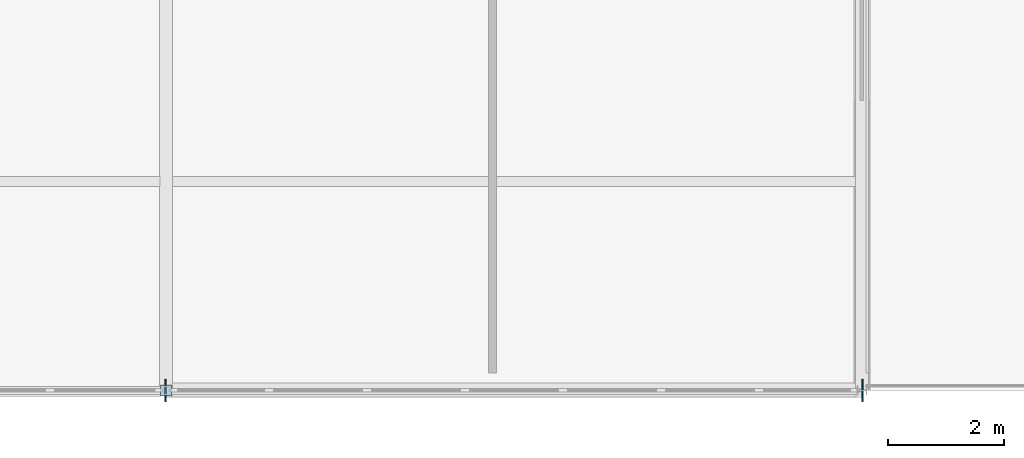
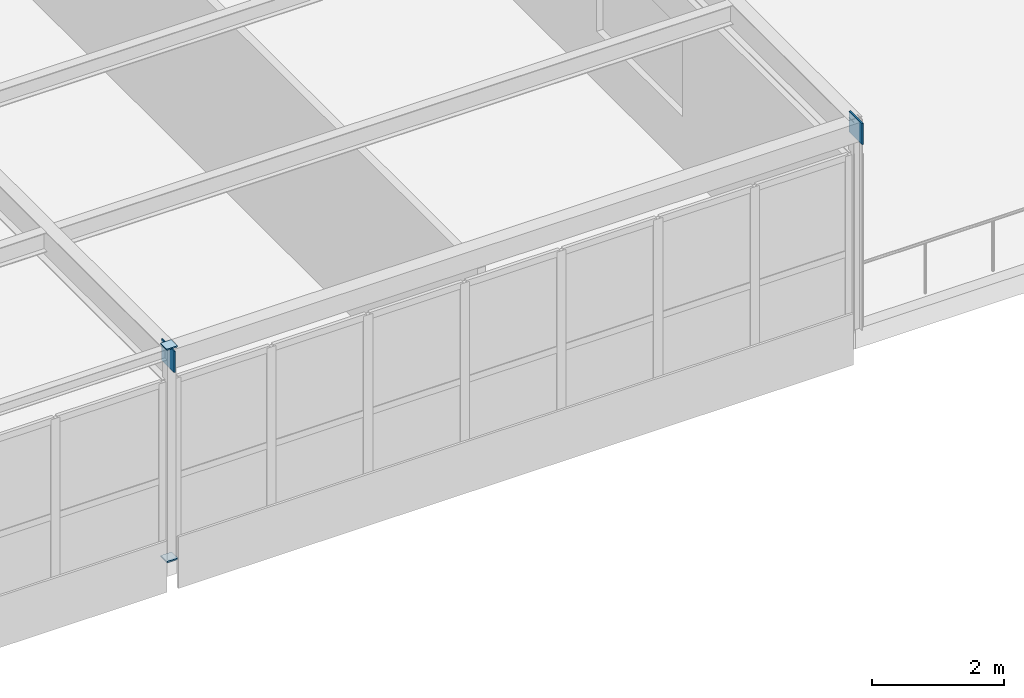
# One storey, part 95 of 128: 4 plates.
"""IFC4 building model written with IfcOpenShell, lengths in metres."""

from ifc_helpers import new_model, si_unit, direction, frame, origin, origin_2d, place, context, subcontext, project, spatial, rectangle, extrude, material, layer, layer_set, type_object, element, save


model = new_model("IFC4")

# Units and contexts
model_context = context("Model", 3, precision=1e-05, world=origin(), true_north=direction((0.0, 1.0)))
body_context = subcontext(model_context, "Body", "Model", "MODEL_VIEW")
ifc_project = project(units=[si_unit("LENGTHUNIT", "METRE"), si_unit("AREAUNIT", "SQUARE_METRE"), si_unit("VOLUMEUNIT", "CUBIC_METRE"), si_unit("PLANEANGLEUNIT", "RADIAN"), si_unit("MASSUNIT", "GRAM", prefix="KILO")], contexts=[model_context])

# Site, building, storey
site_placement = place(None, origin())
site = spatial("IfcSite", under=ifc_project, at=site_placement, CompositionType="ELEMENT")
building_placement = place(site_placement, origin())
building = spatial("IfcBuilding", under=site, at=building_placement, Name="Tarnwether General Hospital", CompositionType="ELEMENT")
storey_placement = place(building_placement, frame((0.0, 0.0, 14.39990234375)))
storey = spatial("IfcBuildingStorey", under=building, at=storey_placement, Name="L03", CompositionType="ELEMENT", Elevation=14.39990234375)

# Plates
ifc_material = material(Name="Steel Grade 350 (350 MPa)", Category="steel")
ifc_layer = layer(ifc_material, 0.02490234375)
ifc_layer_set = layer_set([ifc_layer], Name="Steel Grade 350 (350 MPa)")
plate_type = type_object("IfcPlateType", Name="PT-GUS2", PredefinedType="USERDEFINED", material=ifc_layer_set)
for number, where, z_axis, x_axis, name in (
    (1, (168.0, 0.0, -0.02490234375), (0.0, 0.0, 1.0), (1.0, 0.0, 0.0), "Hollow Section Welded End Cap Plate 0365"),
    (2, (168.0, 0.0, 3.900146484375), (0.0, 0.0, 1.0), (1.0, 0.0, 0.0), "Hollow Section Welded End Cap Plate 0366"),
):
    element("IfcPlate", number, at=place(storey_placement, frame(where, z_axis=z_axis, x_axis=x_axis)), inside=storey, type_object=plate_type, Name=name, ObjectType="GUSSET", PredefinedType="USERDEFINED", context=body_context, shape_type="SweptSolid", body=[
        extrude(rectangle(XDim=0.18994140625, YDim=0.18994140625, at=origin_2d()), origin(), (0.0, 0.0, 1.0), 0.02490234375),
    ])
for number, where, z_axis, x_axis, name in (
    (3, (167.987548828125, 0.0, 3.5302734375), (0.0, 0.0, 1.0), (1.0, 0.0, 0.0), "Hollow Section Welded End Cap Plate 0985"),
    (4, (180.012451171875, 0.0, 3.5302734375), (0.0, 0.0, 1.0), (1.0, 0.0, 0.0), "Hollow Section Welded End Cap Plate 0986"),
):
    element("IfcPlate", number, at=place(storey_placement, frame(where, z_axis=z_axis, x_axis=x_axis)), inside=storey, type_object=plate_type, Name=name, ObjectType="GUSSET", PredefinedType="USERDEFINED", context=body_context, shape_type="SweptSolid", body=[
        extrude(rectangle(XDim=0.02490234375, YDim=0.389892578125, at=origin_2d()), origin(), (0.0, 0.0, 1.0), 0.389892578125),
    ])

save(model, "model.ifc")
